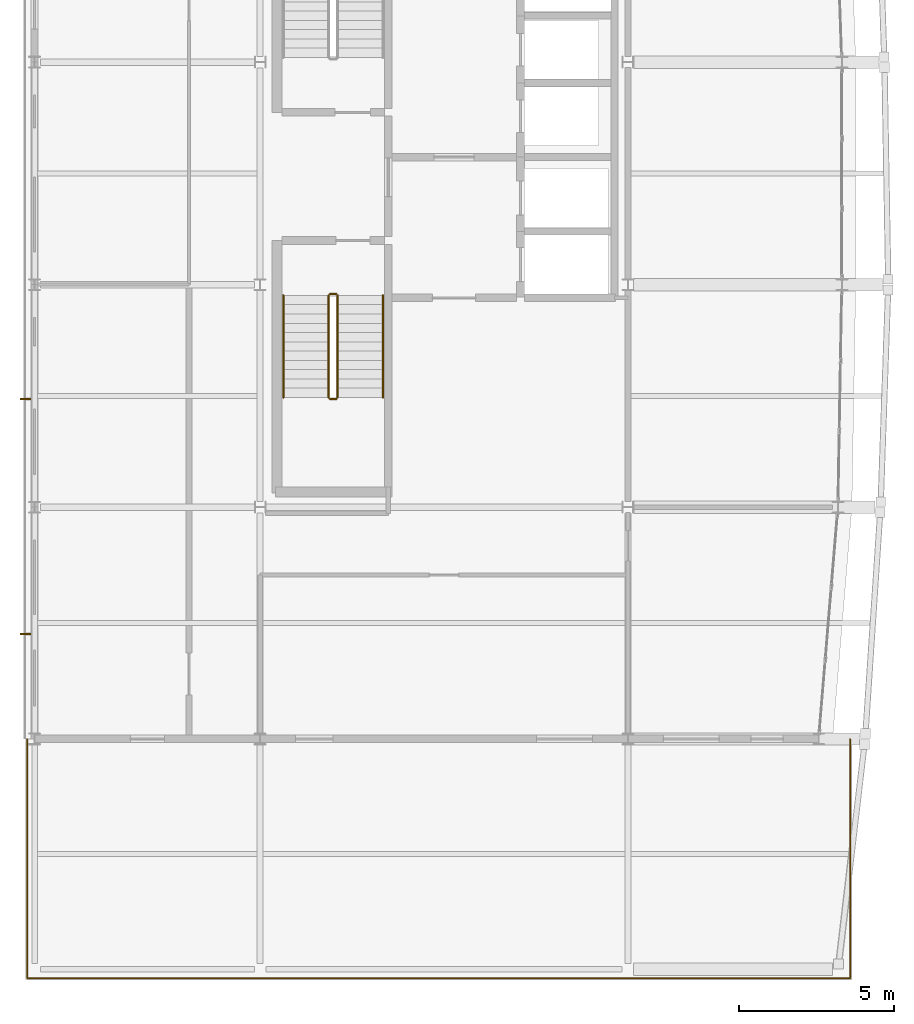
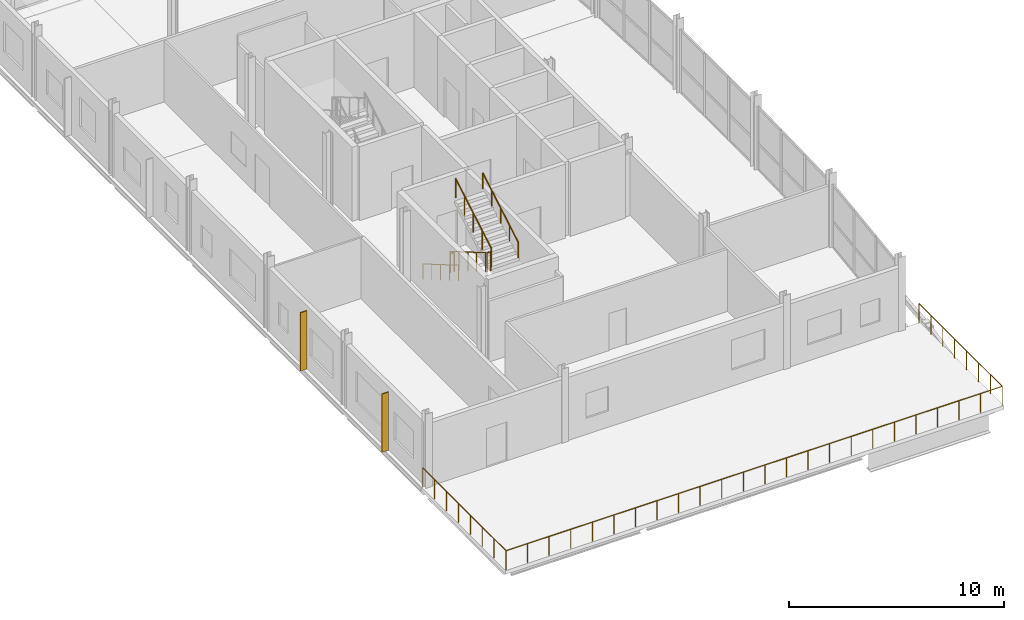
# One storey, part 17 of 19: 7 railings, 2 shading devices.
"""IFC4 building model written with IfcOpenShell, lengths in metres."""

from ifc_helpers import new_model, si_unit, direction, frame, origin, origin_2d, place, context, subcontext, project, spatial, rectangle, circle, extrude, material, type_object, element, save


model = new_model("IFC4")

# Units and contexts
model_context = context("Model", 3, precision=1e-05, world=origin(), true_north=direction((0.0, 1.0)))
body_context = subcontext(model_context, "Body", "Model", "MODEL_VIEW")
ifc_project = project(units=[si_unit("LENGTHUNIT", "METRE"), si_unit("AREAUNIT", "SQUARE_METRE"), si_unit("VOLUMEUNIT", "CUBIC_METRE"), si_unit("PLANEANGLEUNIT", "RADIAN"), si_unit("MASSUNIT", "GRAM", prefix="KILO")], contexts=[model_context])

# Site, building, storey
site_placement = place(None, origin())
site = spatial("IfcSite", under=ifc_project, at=site_placement, CompositionType="ELEMENT")
building_placement = place(site_placement, origin())
building = spatial("IfcBuilding", under=site, at=building_placement, Name="Quillay Park Conservatory", CompositionType="ELEMENT")
storey_placement = place(building_placement, frame((0.0, 0.0, 35.10009765625)))
storey = spatial("IfcBuildingStorey", under=building, at=storey_placement, Name="L08", CompositionType="ELEMENT", Elevation=35.10009765625)

# Railings
ifc_material_1 = material(Name="Steel S355J2H", Category="steel")
railing_type_1 = type_object("IfcRailingType", Name="STAIR WALL HANDRAIL 900", PredefinedType="HANDRAIL", material=ifc_material_1)
railing_1_placement = place(storey_placement, frame((8.60009765625, 84.85009765625, 0.1748046875)))
element("IfcRailing", 1, at=railing_1_placement, inside=storey, type_object=railing_type_1, Name="L08 ST-T2 stair handrail 1", PredefinedType="HANDRAIL", context=body_context, shape_type="SweptSolid", body=[
    extrude(circle(Radius=0.02392578125, at=origin_2d()), frame((0.0, 0.0, 0.8759765625), z_axis=(0.0, -0.863776583165, 0.503874998761), x_axis=(1.0, 0.0, 0.0)), (0.0, 0.0, 1.0), 3.820556640625),
    extrude(circle(Radius=0.02099609375, at=origin_2d()), origin(), (0.0, 0.0, 1.0), 0.851806640625),
    extrude(circle(Radius=0.02099609375, at=origin_2d()), frame((0.0, -0.824951171875, 0.481201171875)), (0.0, 0.0, 1.0), 0.851806640625),
    extrude(circle(Radius=0.02099609375, at=origin_2d()), frame((0.0, -1.64990234375, 0.96240234375)), (0.0, 0.0, 1.0), 0.851806640625),
    extrude(circle(Radius=0.02099609375, at=origin_2d()), frame((0.0, -2.47509765625, 1.44384765625)), (0.0, 0.0, 1.0), 0.851806640625),
    extrude(circle(Radius=0.02099609375, at=origin_2d()), frame((0.0, -3.300048828125, 1.925048828125)), (0.0, 0.0, 1.0), 0.851806640625),
])
railing_2_placement = place(storey_placement, frame((11.820068359375, 81.550048828125, 2.27490234375)))
element("IfcRailing", 2, at=railing_2_placement, inside=storey, type_object=railing_type_1, Name="L08 ST-T2 stair handrail 2", PredefinedType="HANDRAIL", context=body_context, shape_type="SweptSolid", body=[
    extrude(circle(Radius=0.02392578125, at=origin_2d()), frame((0.0, 0.0, 0.8759765625), z_axis=(0.0, 0.863776583165, 0.503874998761), x_axis=(-1.0, 0.0, 0.0)), (0.0, 0.0, 1.0), 3.820556640625),
    extrude(circle(Radius=0.02099609375, at=origin_2d()), origin(), (0.0, 0.0, 1.0), 0.851806640625),
    extrude(circle(Radius=0.02099609375, at=origin_2d()), frame((0.0, 0.824951171875, 0.481201171875)), (0.0, 0.0, 1.0), 0.851806640625),
    extrude(circle(Radius=0.02099609375, at=origin_2d()), frame((0.0, 1.64990234375, 0.96240234375)), (0.0, 0.0, 1.0), 0.851806640625),
    extrude(circle(Radius=0.02099609375, at=origin_2d()), frame((0.0, 2.47509765625, 1.44384765625)), (0.0, 0.0, 1.0), 0.851806640625),
    extrude(circle(Radius=0.02099609375, at=origin_2d()), frame((0.0, 3.300048828125, 1.925048828125)), (0.0, 0.0, 1.0), 0.851806640625),
])
ifc_material_2 = material(Name="Steel S355J2H", Category="steel")
railing_type_2 = type_object("IfcRailingType", Name="STAIR WELL GUARDRAIL 1100", PredefinedType="GUARDRAIL", material=ifc_material_2)
railing_3_placement = place(storey_placement, frame((10.06005859375, 84.85009765625, 0.1748046875)))
element("IfcRailing", 3, at=railing_3_placement, inside=storey, type_object=railing_type_2, Name="L08 ST-T2 stair guard 1", PredefinedType="GUARDRAIL", context=body_context, shape_type="SweptSolid", body=[
    extrude(circle(Radius=0.02392578125, at=origin_2d()), frame((0.0, 0.0, 1.076171875), z_axis=(0.0, -0.863776583165, 0.503874998761), x_axis=(1.0, 0.0, 0.0)), (0.0, 0.0, 1.0), 3.820556640625),
    extrude(circle(Radius=0.02099609375, at=origin_2d()), origin(), (0.0, 0.0, 1.0), 1.052001953125),
    extrude(circle(Radius=0.02099609375, at=origin_2d()), frame((0.0, -0.824951171875, 0.481201171875)), (0.0, 0.0, 1.0), 1.052001953125),
    extrude(circle(Radius=0.02099609375, at=origin_2d()), frame((0.0, -1.64990234375, 0.96240234375)), (0.0, 0.0, 1.0), 1.052001953125),
    extrude(circle(Radius=0.02099609375, at=origin_2d()), frame((0.0, -2.47509765625, 1.44384765625)), (0.0, 0.0, 1.0), 1.052001953125),
    extrude(circle(Radius=0.02099609375, at=origin_2d()), frame((0.0, -3.300048828125, 1.925048828125)), (0.0, 0.0, 1.0), 1.052001953125),
])
railing_4_placement = place(storey_placement, frame((10.110107421875, 81.5, 2.099853515625)))
element("IfcRailing", 4, at=railing_4_placement, inside=storey, type_object=railing_type_2, Name="L08 ST-T2 stair guard 2", PredefinedType="GUARDRAIL", context=body_context, shape_type="SweptSolid", body=[
    extrude(circle(Radius=0.02392578125, at=origin_2d()), frame((0.0, 0.0, 1.076171875), z_axis=(1.0, 0.0, 0.0), x_axis=(0.0, 1.0, 0.0)), (0.0, 0.0, 1.0), 0.199951171875),
    extrude(circle(Radius=0.02099609375, at=origin_2d()), origin(), (0.0, 0.0, 1.0), 1.052001953125),
    extrude(circle(Radius=0.02099609375, at=origin_2d()), frame((0.199951171875, 0.0, 0.0)), (0.0, 0.0, 1.0), 1.052001953125),
])
railing_5_placement = place(storey_placement, frame((10.360107421875, 81.550048828125, 2.27490234375)))
element("IfcRailing", 5, at=railing_5_placement, inside=storey, type_object=railing_type_2, Name="L08 ST-T2 stair guard 3", PredefinedType="GUARDRAIL", context=body_context, shape_type="SweptSolid", body=[
    extrude(circle(Radius=0.02392578125, at=origin_2d()), frame((0.0, 0.0, 1.076171875), z_axis=(0.0, 0.863776583165, 0.503874998761), x_axis=(-1.0, 0.0, 0.0)), (0.0, 0.0, 1.0), 3.820556640625),
    extrude(circle(Radius=0.02099609375, at=origin_2d()), origin(), (0.0, 0.0, 1.0), 1.052001953125),
    extrude(circle(Radius=0.02099609375, at=origin_2d()), frame((0.0, 0.824951171875, 0.481201171875)), (0.0, 0.0, 1.0), 1.052001953125),
    extrude(circle(Radius=0.02099609375, at=origin_2d()), frame((0.0, 1.64990234375, 0.96240234375)), (0.0, 0.0, 1.0), 1.052001953125),
    extrude(circle(Radius=0.02099609375, at=origin_2d()), frame((0.0, 2.47509765625, 1.44384765625)), (0.0, 0.0, 1.0), 1.052001953125),
    extrude(circle(Radius=0.02099609375, at=origin_2d()), frame((0.0, 3.300048828125, 1.925048828125)), (0.0, 0.0, 1.0), 1.052001953125),
])
railing_6_placement = place(storey_placement, frame((10.110107421875, 84.89990234375, 0.0)))
element("IfcRailing", 6, at=railing_6_placement, inside=storey, type_object=railing_type_2, Name="L08 ST-T2 stair guard 4", PredefinedType="GUARDRAIL", context=body_context, shape_type="SweptSolid", body=[
    extrude(circle(Radius=0.02392578125, at=origin_2d()), frame((0.0, 0.0, 1.076171875), z_axis=(1.0, 0.0, 0.0), x_axis=(0.0, 1.0, 0.0)), (0.0, 0.0, 1.0), 0.199951171875),
    extrude(circle(Radius=0.02099609375, at=origin_2d()), origin(), (0.0, 0.0, 1.0), 1.052001953125),
    extrude(circle(Radius=0.02099609375, at=origin_2d()), frame((0.199951171875, 0.0, 0.0)), (0.0, 0.0, 1.0), 1.052001953125),
])
ifc_material_3 = material(Name="Steel S355J2H", Category="steel")
railing_type_3 = type_object("IfcRailingType", Name="TERRACE PERIMETER GUARDRAIL 1100", PredefinedType="GUARDRAIL", material=ifc_material_3)
railing_7_placement = place(storey_placement, frame((0.31005859375, 70.5, 0.0)))
element("IfcRailing", 7, at=railing_7_placement, inside=storey, type_object=railing_type_3, Name="L08 Perimeter Safety Guardrail 003", PredefinedType="GUARDRAIL", context=body_context, shape_type="SweptSolid", body=[
    extrude(circle(Radius=0.02392578125, at=origin_2d()), frame((0.0, 0.0, 1.076171875), z_axis=(0.0, -1.0, 0.0), x_axis=(1.0, 0.0, 0.0)), (0.0, 0.0, 1.0), 7.739990234375),
    extrude(circle(Radius=0.02392578125, at=origin_2d()), frame((0.0, -7.739990234375, 1.076171875), z_axis=(1.0, 0.0, 0.0), x_axis=(0.0, 1.0, 0.0)), (0.0, 0.0, 1.0), 26.6298828125),
    extrude(circle(Radius=0.02392578125, at=origin_2d()), frame((26.6298828125, -7.739990234375, 1.076171875), z_axis=(0.0, 1.0, 0.0), x_axis=(-1.0, 0.0, 0.0)), (0.0, 0.0, 1.0), 7.739990234375),
    extrude(circle(Radius=0.02099609375, at=origin_2d()), origin(), (0.0, 0.0, 1.0), 1.052001953125),
    extrude(circle(Radius=0.02099609375, at=origin_2d()), frame((0.0, -1.105712890625, 0.0)), (0.0, 0.0, 1.0), 1.052001953125),
    extrude(circle(Radius=0.02099609375, at=origin_2d()), frame((0.0, -2.21142578125, 0.0)), (0.0, 0.0, 1.0), 1.052001953125),
    extrude(circle(Radius=0.02099609375, at=origin_2d()), frame((0.0, -3.317138671875, 0.0)), (0.0, 0.0, 1.0), 1.052001953125),
    extrude(circle(Radius=0.02099609375, at=origin_2d()), frame((0.0, -4.4228515625, 0.0)), (0.0, 0.0, 1.0), 1.052001953125),
    extrude(circle(Radius=0.02099609375, at=origin_2d()), frame((0.0, -5.528564453125, 0.0)), (0.0, 0.0, 1.0), 1.052001953125),
    extrude(circle(Radius=0.02099609375, at=origin_2d()), frame((0.0, -6.63427734375, 0.0)), (0.0, 0.0, 1.0), 1.052001953125),
    extrude(circle(Radius=0.02099609375, at=origin_2d()), frame((0.0, -7.739990234375, 0.0)), (0.0, 0.0, 1.0), 1.052001953125),
    extrude(circle(Radius=0.02099609375, at=origin_2d()), frame((1.15771484375, -7.739990234375, 0.0)), (0.0, 0.0, 1.0), 1.052001953125),
    extrude(circle(Radius=0.02099609375, at=origin_2d()), frame((2.315673828125, -7.739990234375, 0.0)), (0.0, 0.0, 1.0), 1.052001953125),
    extrude(circle(Radius=0.02099609375, at=origin_2d()), frame((3.473388671875, -7.739990234375, 0.0)), (0.0, 0.0, 1.0), 1.052001953125),
    extrude(circle(Radius=0.02099609375, at=origin_2d()), frame((4.63134765625, -7.739990234375, 0.0)), (0.0, 0.0, 1.0), 1.052001953125),
    extrude(circle(Radius=0.02099609375, at=origin_2d()), frame((5.7890625, -7.739990234375, 0.0)), (0.0, 0.0, 1.0), 1.052001953125),
    extrude(circle(Radius=0.02099609375, at=origin_2d()), frame((6.947021484375, -7.739990234375, 0.0)), (0.0, 0.0, 1.0), 1.052001953125),
    extrude(circle(Radius=0.02099609375, at=origin_2d()), frame((8.104736328125, -7.739990234375, 0.0)), (0.0, 0.0, 1.0), 1.052001953125),
    extrude(circle(Radius=0.02099609375, at=origin_2d()), frame((9.262451171875, -7.739990234375, 0.0)), (0.0, 0.0, 1.0), 1.052001953125),
    extrude(circle(Radius=0.02099609375, at=origin_2d()), frame((10.42041015625, -7.739990234375, 0.0)), (0.0, 0.0, 1.0), 1.052001953125),
    extrude(circle(Radius=0.02099609375, at=origin_2d()), frame((11.578125, -7.739990234375, 0.0)), (0.0, 0.0, 1.0), 1.052001953125),
    extrude(circle(Radius=0.02099609375, at=origin_2d()), frame((12.736083984375, -7.739990234375, 0.0)), (0.0, 0.0, 1.0), 1.052001953125),
    extrude(circle(Radius=0.02099609375, at=origin_2d()), frame((13.893798828125, -7.739990234375, 0.0)), (0.0, 0.0, 1.0), 1.052001953125),
    extrude(circle(Radius=0.02099609375, at=origin_2d()), frame((15.0517578125, -7.739990234375, 0.0)), (0.0, 0.0, 1.0), 1.052001953125),
    extrude(circle(Radius=0.02099609375, at=origin_2d()), frame((16.20947265625, -7.739990234375, 0.0)), (0.0, 0.0, 1.0), 1.052001953125),
    extrude(circle(Radius=0.02099609375, at=origin_2d()), frame((17.367431640625, -7.739990234375, 0.0)), (0.0, 0.0, 1.0), 1.052001953125),
    extrude(circle(Radius=0.02099609375, at=origin_2d()), frame((18.525146484375, -7.739990234375, 0.0)), (0.0, 0.0, 1.0), 1.052001953125),
    extrude(circle(Radius=0.02099609375, at=origin_2d()), frame((19.682861328125, -7.739990234375, 0.0)), (0.0, 0.0, 1.0), 1.052001953125),
    extrude(circle(Radius=0.02099609375, at=origin_2d()), frame((20.8408203125, -7.739990234375, 0.0)), (0.0, 0.0, 1.0), 1.052001953125),
    extrude(circle(Radius=0.02099609375, at=origin_2d()), frame((21.99853515625, -7.739990234375, 0.0)), (0.0, 0.0, 1.0), 1.052001953125),
    extrude(circle(Radius=0.02099609375, at=origin_2d()), frame((23.156494140625, -7.739990234375, 0.0)), (0.0, 0.0, 1.0), 1.052001953125),
    extrude(circle(Radius=0.02099609375, at=origin_2d()), frame((24.314208984375, -7.739990234375, 0.0)), (0.0, 0.0, 1.0), 1.052001953125),
    extrude(circle(Radius=0.02099609375, at=origin_2d()), frame((25.47216796875, -7.739990234375, 0.0)), (0.0, 0.0, 1.0), 1.052001953125),
    extrude(circle(Radius=0.02099609375, at=origin_2d()), frame((26.6298828125, -7.739990234375, 0.0)), (0.0, 0.0, 1.0), 1.052001953125),
    extrude(circle(Radius=0.02099609375, at=origin_2d()), frame((26.6298828125, -6.63427734375, 0.0)), (0.0, 0.0, 1.0), 1.052001953125),
    extrude(circle(Radius=0.02099609375, at=origin_2d()), frame((26.6298828125, -5.528564453125, 0.0)), (0.0, 0.0, 1.0), 1.052001953125),
    extrude(circle(Radius=0.02099609375, at=origin_2d()), frame((26.6298828125, -4.4228515625, 0.0)), (0.0, 0.0, 1.0), 1.052001953125),
    extrude(circle(Radius=0.02099609375, at=origin_2d()), frame((26.6298828125, -3.317138671875, 0.0)), (0.0, 0.0, 1.0), 1.052001953125),
    extrude(circle(Radius=0.02099609375, at=origin_2d()), frame((26.6298828125, -2.21142578125, 0.0)), (0.0, 0.0, 1.0), 1.052001953125),
    extrude(circle(Radius=0.02099609375, at=origin_2d()), frame((26.6298828125, -1.105712890625, 0.0)), (0.0, 0.0, 1.0), 1.052001953125),
    extrude(circle(Radius=0.02099609375, at=origin_2d()), frame((26.6298828125, 0.0, 0.0)), (0.0, 0.0, 1.0), 1.052001953125),
])

# Shading devices
ifc_material_4 = material(Name="Perforated Copper-Bronze Anodised Aluminium", Category="aluminium")
shading_device_type = type_object("IfcShadingDeviceType", Name="COPPER BRONZE SOLAR FIN", PredefinedType="USERDEFINED", material=ifc_material_4)
for number, where, z_axis, x_axis, name in (
    (8, (0.2548828125, 73.89990234375, 0.0), (0.0, 0.0, 1.0), (1.0, 0.0, 0.0), "L08 Perforated Copper-Bronze Solar Fin 021"),
    (9, (0.2548828125, 81.5, 0.0), (0.0, 0.0, 1.0), (1.0, 0.0, 0.0), "L08 Perforated Copper-Bronze Solar Fin 022"),
):
    element("IfcShadingDevice", number, at=place(storey_placement, frame(where, z_axis=z_axis, x_axis=x_axis)), inside=storey, type_object=shading_device_type, Name=name, ObjectType="SOLAR FIN", PredefinedType="USERDEFINED", context=body_context, shape_type="SweptSolid", body=[
        extrude(rectangle(XDim=0.35009765625, YDim=0.054931640625, at=origin_2d()), origin(), (0.0, 0.0, 1.0), 3.300048828125),
    ])

save(model, "model.ifc")
